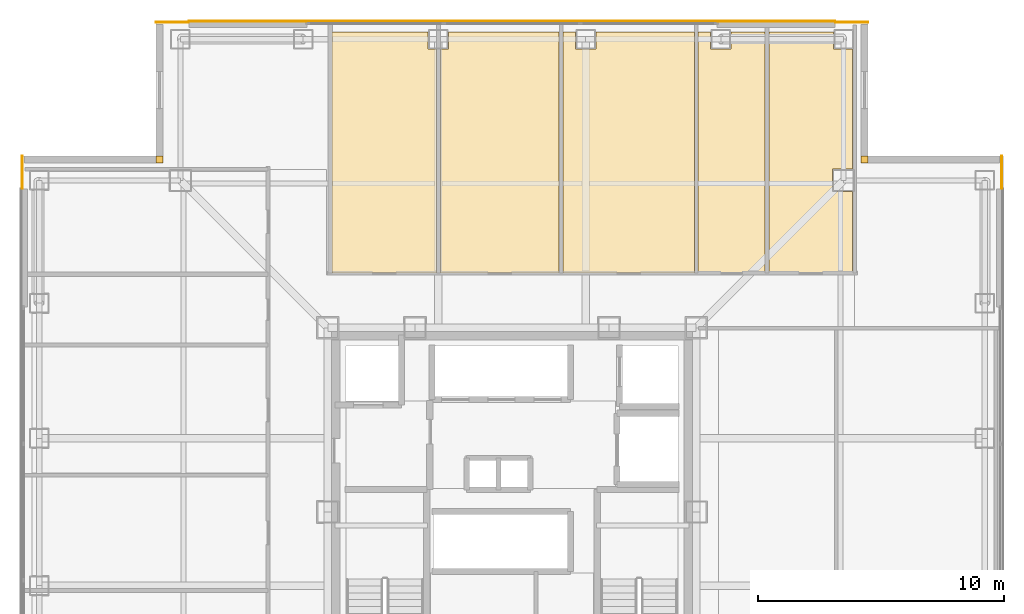
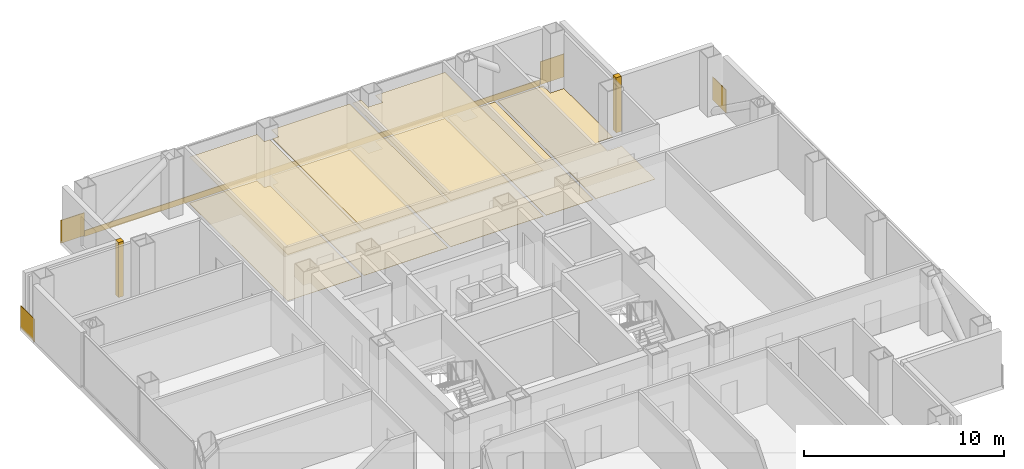
# One storey, part 17 of 17: 15 coverings.
"""IFC4 building model written with IfcOpenShell, lengths in metres."""

import ifcopenshell
import ifcopenshell.guid

model = None  # the IFC model being written
_history = None  # IfcOwnerHistory: only IFC2X3 demands one
_inside = {}  # id of a spatial element -> (the spatial element, [elements in it])
_under = {}  # id of a project, library or spatial element -> (it, [spatial elements below it])
_declared = {}  # id of a project -> (the project, [libraries it declares])
_typed = {}  # id of a type object -> (the type object, [elements of that type])
_made_of = {}  # id of a material, layer set ... -> (it, [elements and type objects made of it])


def new_model(schema):
    """Start an empty IFC model of exactly this schema.

    Asked for "IFC4X3", IfcOpenShell would pick the latest addendum, in which some entities
    have other attributes; the version numbers below select the first issue.
    IFC2X3 requires an IfcOwnerHistory on every rooted entity: one is made here for all.
    """
    global model, _history
    if schema == "IFC4X3":
        model = ifcopenshell.file(schema_version=(4, 3, 0, 0))
    else:
        model = ifcopenshell.file(schema=schema)
    _inside.clear()
    _under.clear()
    _declared.clear()
    _typed.clear()
    _made_of.clear()
    _history = None
    if model.schema == "IFC2X3":
        org = make("IfcOrganization", Name="unknown")
        user = make(
            "IfcPersonAndOrganization",
            ThePerson=make("IfcPerson", FamilyName="unknown"),
            TheOrganization=org,
        )
        app = make(
            "IfcApplication",
            ApplicationDeveloper=org,
            Version="unknown",
            ApplicationFullName="unknown",
            ApplicationIdentifier="unknown",
        )
        _history = make(
            "IfcOwnerHistory",
            OwningUser=user,
            OwningApplication=app,
            ChangeAction="ADDED",
            CreationDate=0,
        )
    return model


def make(cls, **values):
    """One entity of the class cls with the attributes given. An attribute that is None is left unset."""
    return model.create_entity(
        cls, **{name: value for name, value in values.items() if value is not None}
    )


def rooted(cls, **values):
    """An entity with a GlobalId (a new one), such as an element, a storey or a relation."""
    return make(cls, GlobalId=ifcopenshell.guid.new(), OwnerHistory=_history, **values)


def si_unit(unit_type, name, prefix=None):
    """IfcSIUnit, for example si_unit("LENGTHUNIT", "METRE", prefix="MILLI")."""
    return make("IfcSIUnit", UnitType=unit_type, Prefix=prefix, Name=name)


def assignment(units):
    """IfcUnitAssignment: the units of a project."""
    return None if units is None else make("IfcUnitAssignment", Units=units)


def point(xyz):
    """IfcCartesianPoint."""
    return None if xyz is None else make("IfcCartesianPoint", Coordinates=xyz)


def direction(xyz):
    """IfcDirection."""
    return None if xyz is None else make("IfcDirection", DirectionRatios=xyz)


def frame(location, z_axis=None, x_axis=None):
    """IfcAxis2Placement3D, a coordinate frame: its origin and axes. An axis left out is left unset."""
    return make(
        "IfcAxis2Placement3D",
        Location=point(location),
        Axis=direction(z_axis),
        RefDirection=direction(x_axis),
    )


def frame_2d(location, x_axis=None):
    """IfcAxis2Placement2D, a coordinate frame in the plane: its origin and x axis."""
    return make(
        "IfcAxis2Placement2D", Location=point(location), RefDirection=direction(x_axis)
    )


def origin():
    """The frame at (0, 0, 0) with its axes left unset."""
    return frame((0.0, 0.0, 0.0))


def place(relative_to, where):
    """IfcLocalPlacement: puts the frame where relative to a parent placement (None: the world)."""
    return make(
        "IfcLocalPlacement", PlacementRelTo=relative_to, RelativePlacement=where
    )


def context(
    kind, dimensions, precision=None, world=None, true_north=None, identifier=None
):
    """IfcGeometricRepresentationContext, for example the 3D "Model" context."""
    return make(
        "IfcGeometricRepresentationContext",
        ContextIdentifier=identifier,
        ContextType=kind,
        CoordinateSpaceDimension=dimensions,
        Precision=precision,
        WorldCoordinateSystem=world,
        TrueNorth=true_north,
    )


def subcontext(parent, identifier, kind, view, scale=None):
    """IfcGeometricRepresentationSubContext, for example "Body" below "Model"."""
    return make(
        "IfcGeometricRepresentationSubContext",
        ContextIdentifier=identifier,
        ContextType=kind,
        ParentContext=parent,
        TargetScale=scale,
        TargetView=view,
    )


def project(units=None, contexts=None):
    """IfcProject with its units and contexts."""
    return rooted(
        "IfcProject",
        Name="project",
        RepresentationContexts=contexts,
        UnitsInContext=assignment(units),
    )


def spatial(cls, under=None, at=None, **own):
    """A site, building, storey or space (cls), placed at a placement, below another one or the project."""
    s = rooted(cls, ObjectPlacement=at, **own)
    if under is not None:
        _under.setdefault(under.id(), (under, []))[1].append(s)
    return s


def polyline(points):
    """IfcPolyline through the points."""
    return make("IfcPolyline", Points=[point(p) for p in points])


def profile(cls, at=None, kind="AREA", **sizes):
    """A parametric profile (cls). Its sizes go by their IFC names, for example OverallWidth=200.0."""
    return make(cls, ProfileType=kind, Position=at, **sizes)


def rectangle(**sizes):
    """IfcRectangleProfileDef."""
    return profile("IfcRectangleProfileDef", **sizes)


def outline(outer, holes=None, kind="AREA"):
    """IfcArbitraryClosedProfileDef: a profile drawn as a closed curve; with holes, ...WithVoids."""
    if holes is None:
        return make("IfcArbitraryClosedProfileDef", ProfileType=kind, OuterCurve=outer)
    return make(
        "IfcArbitraryProfileDefWithVoids",
        ProfileType=kind,
        OuterCurve=outer,
        InnerCurves=holes,
    )


def extrude(swept, where, along, depth):
    """IfcExtrudedAreaSolid: the profile swept, set in the frame where, extruded along a direction by depth."""
    return make(
        "IfcExtrudedAreaSolid",
        SweptArea=swept,
        Position=where,
        ExtrudedDirection=direction(along),
        Depth=depth,
    )


def shape(context_of_items, identifier, shape_type, items):
    """IfcShapeRepresentation: the items that make up one representation, for example the "Body"."""
    return make(
        "IfcShapeRepresentation",
        ContextOfItems=context_of_items,
        RepresentationIdentifier=identifier,
        RepresentationType=shape_type,
        Items=items,
    )


def material(Name=None, Category=None):
    """IfcMaterial."""
    return make("IfcMaterial", Name=Name, Category=Category)


def layer(
    of_material, thickness, ventilated=None, Name=None, Category=None, Priority=None
):
    """IfcMaterialLayer: one layer of a wall or slab, of a material (None: an air gap)."""
    return make(
        "IfcMaterialLayer",
        Material=of_material,
        LayerThickness=thickness,
        IsVentilated=ventilated,
        Name=Name,
        Category=Category,
        Priority=Priority,
    )


def layer_set(layers, Name=None):
    """IfcMaterialLayerSet."""
    return make("IfcMaterialLayerSet", MaterialLayers=layers, LayerSetName=Name)


def made_of(thing, what):
    """Note that an element or type object is made of a material, layer set ...; save() writes the relation."""
    if what is not None:
        _made_of.setdefault(what.id(), (what, []))[1].append(thing)
    return thing


def type_object(cls, material=None, **own):
    """A type object (cls), such as IfcWallType, which elements share."""
    return made_of(rooted(cls, **own), material)


def element(
    cls,
    number,
    at=None,
    inside=None,
    cuts=None,
    type_object=None,
    material=None,
    context=None,
    identifier="Body",
    shape_type=None,
    held_by="IfcProductDefinitionShape",
    body=None,
    shapes=None,
    **own,
):
    """One element of the class cls, such as IfcWall. Its Tag is "e" and its number.

    at: its placement. inside: the storey or other place that contains it. cuts: it is an
    opening in that element (IfcRelVoidsElement). A single representation is given by context,
    identifier, shape_type and body (its items); several are given by shapes. held_by: the class
    of the entity that holds the representations. save() writes the other relations.
    """
    e = rooted(cls, Tag="e%d" % number, ObjectPlacement=at, **own)
    if body is not None:
        shapes = [shape(context, identifier, shape_type, body)]
    if shapes is not None:
        e.Representation = make(held_by, Representations=shapes)
    if inside is not None:
        _inside.setdefault(inside.id(), (inside, []))[1].append(e)
    if cuts is not None:
        rooted(
            "IfcRelVoidsElement", RelatingBuildingElement=cuts, RelatedOpeningElement=e
        )
    if type_object is not None:
        _typed.setdefault(type_object.id(), (type_object, []))[1].append(e)
    return made_of(e, material)


def aggregate(whole, parts):
    """IfcRelAggregates: a whole, such as a stair, and the parts it consists of."""
    return rooted("IfcRelAggregates", RelatingObject=whole, RelatedObjects=parts)


def save(model, path):
    """Write the relations noted so far, then the file.

    IfcRelAggregates (storeys below a building ...), IfcRelContainedInSpatialStructure (elements
    in a storey), IfcRelDefinesByType, IfcRelAssociatesMaterial and IfcRelDeclares: one each for
    every whole, place, type object, material and project.
    """
    for whole, parts in _under.values():
        aggregate(whole, parts)
    for where, things in _inside.values():
        rooted(
            "IfcRelContainedInSpatialStructure",
            RelatedElements=things,
            RelatingStructure=where,
        )
    for kind, things in _typed.values():
        rooted("IfcRelDefinesByType", RelatedObjects=things, RelatingType=kind)
    for what, things in _made_of.values():
        rooted("IfcRelAssociatesMaterial", RelatedObjects=things, RelatingMaterial=what)
    for by, libraries in _declared.values():
        rooted("IfcRelDeclares", RelatingContext=by, RelatedDefinitions=libraries)
    model.write(path)


model = new_model("IFC4")

# Units and contexts
model_context = context("Model", 3, precision=1e-05, world=origin(), true_north=direction((0.0, 1.0)))
body_context = subcontext(model_context, "Body", "Model", "MODEL_VIEW")
ifc_project = project(units=[si_unit("LENGTHUNIT", "METRE"), si_unit("AREAUNIT", "SQUARE_METRE"), si_unit("VOLUMEUNIT", "CUBIC_METRE"), si_unit("PLANEANGLEUNIT", "RADIAN"), si_unit("MASSUNIT", "GRAM", prefix="KILO")], contexts=[model_context])

# Site, building, storey
site_placement = place(None, origin())
site = spatial("IfcSite", under=ifc_project, at=site_placement, CompositionType="ELEMENT")
building_placement = place(site_placement, origin())
building = spatial("IfcBuilding", under=site, at=building_placement, Name="Trevonay Congress Spire", CompositionType="ELEMENT")
storey_placement = place(building_placement, frame((0.0, 0.0, 169.800048828125)))
storey = spatial("IfcBuildingStorey", under=building, at=storey_placement, Name="L43", CompositionType="ELEMENT", Elevation=169.800048828125)

# Coverings
ifc_material_1 = material(Name="Acoustic Mineral Fibre Board", Category="gypsum")
ifc_layer_1 = layer(ifc_material_1, 0.02490234375, Name="Acoustic Mineral Fibre Board")
ifc_layer_set_1 = layer_set([ifc_layer_1], Name="Acoustic Mineral Fibre Board")
covering_type_1 = type_object("IfcCoveringType", Name="COV-CEIL-ACOUSTIC", PredefinedType="CEILING", material=ifc_layer_set_1)
covering_1_placement = place(storey_placement, frame((0.0, 0.0, 2.81005859375)))
element("IfcCovering", 1, at=covering_1_placement, inside=storey, type_object=covering_type_1, Name="L43 Tax Counsel Office 8 acoustic suspended ceiling", PredefinedType="CEILING", context=body_context, shape_type="SweptSolid", body=[
    extrude(outline(polyline([(-3.080078125, 9.72998046875), (-7.320068359375, 9.72998046875), (-7.320068359375, 19.550048828125), (-3.409912109375, 19.550048828125), (-3.409912109375, 18.840087890625), (-3.080078125, 18.840087890625), (-3.080078125, 9.72998046875)])), origin(), (0.0, 0.0, 1.0), 0.02490234375),
])
covering_2_placement = place(storey_placement, frame((0.0, 0.0, 2.81005859375)))
element("IfcCovering", 2, at=covering_2_placement, inside=storey, type_object=covering_type_1, Name="L43 Compliance Office 9 acoustic suspended ceiling", PredefinedType="CEILING", context=body_context, shape_type="SweptSolid", body=[
    extrude(outline(polyline([(1.919921875, 19.550048828125), (1.919921875, 9.72998046875), (-2.919921875, 9.72998046875), (-2.919921875, 18.840087890625), (-2.590087890625, 18.840087890625), (-2.590087890625, 19.550048828125), (1.919921875, 19.550048828125)])), origin(), (0.0, 0.0, 1.0), 0.02490234375),
])
covering_3_placement = place(storey_placement, frame((0.0, 0.0, 2.81005859375)))
element("IfcCovering", 3, at=covering_3_placement, inside=storey, type_object=covering_type_1, Name="L43 Billing Office 10 acoustic suspended ceiling", PredefinedType="CEILING", context=body_context, shape_type="SweptSolid", body=[
    extrude(outline(polyline([(7.419921875, 19.550048828125), (7.419921875, 9.72998046875), (2.080078125, 9.72998046875), (2.080078125, 19.550048828125), (2.590087890625, 19.550048828125), (2.590087890625, 18.840087890625), (3.409912109375, 18.840087890625), (3.409912109375, 19.550048828125), (7.419921875, 19.550048828125)])), origin(), (0.0, 0.0, 1.0), 0.02490234375),
])
ifc_material_2 = material(Name="Polished Granite Floor Tile", Category="masonry")
ifc_layer_2 = layer(ifc_material_2, 0.02001953125, Name="Polished Granite Floor Tile")
ifc_layer_set_2 = layer_set([ifc_layer_2], Name="Polished Granite Floor Tile")
covering_type_2 = type_object("IfcCoveringType", Name="COV-FLOOR-STONE", PredefinedType="FLOORING", material=ifc_layer_set_2)
covering_4_placement = place(storey_placement, origin())
element("IfcCovering", 4, at=covering_4_placement, inside=storey, type_object=covering_type_2, Name="L43 Female Restroom WC floor finish", PredefinedType="FLOORING", context=body_context, shape_type="SweptSolid", body=[
    extrude(outline(polyline([(10.300048828125, 19.550048828125), (10.300048828125, 9.72998046875), (7.580078125, 9.72998046875), (7.580078125, 19.550048828125), (8.090087890625, 19.550048828125), (8.090087890625, 18.840087890625), (8.909912109375, 18.840087890625), (8.909912109375, 19.550048828125), (10.300048828125, 19.550048828125)])), origin(), (0.0, 0.0, 1.0), 0.02001953125),
])
covering_5_placement = place(storey_placement, origin())
element("IfcCovering", 5, at=covering_5_placement, inside=storey, type_object=covering_type_2, Name="L43 Floor Supplies and Copy Room floor finish", PredefinedType="FLOORING", context=body_context, shape_type="SweptSolid", body=[
    extrude(outline(polyline([(13.8701171875, 9.72998046875), (10.4599609375, 9.72998046875), (10.4599609375, 19.550048828125), (13.090087890625, 19.550048828125), (13.090087890625, 18.840087890625), (13.8701171875, 18.840087890625), (13.8701171875, 13.9599609375), (13.0400390625, 13.9599609375), (13.0400390625, 13.0400390625), (13.8701171875, 13.0400390625), (13.8701171875, 9.72998046875)])), origin(), (0.0, 0.0, 1.0), 0.02001953125),
])
ifc_material_3 = material(Name="Engineered Oak Flooring", Category="wood")
ifc_layer_3 = layer(ifc_material_3, 0.01806640625, Name="Engineered Oak Flooring")
ifc_layer_set_3 = layer_set([ifc_layer_3], Name="Engineered Oak Flooring")
covering_type_3 = type_object("IfcCoveringType", Name="COV-FLOOR-TIMBER", PredefinedType="FLOORING", material=ifc_layer_set_3)
covering_6_placement = place(storey_placement, origin())
element("IfcCovering", 6, at=covering_6_placement, inside=storey, type_object=covering_type_3, Name="L43 Tax Counsel Office 8 floor finish", PredefinedType="FLOORING", context=body_context, shape_type="SweptSolid", body=[
    extrude(outline(polyline([(-3.080078125, 9.72998046875), (-7.320068359375, 9.72998046875), (-7.320068359375, 19.550048828125), (-3.409912109375, 19.550048828125), (-3.409912109375, 18.840087890625), (-3.080078125, 18.840087890625), (-3.080078125, 9.72998046875)])), origin(), (0.0, 0.0, 1.0), 0.01806640625),
])
covering_7_placement = place(storey_placement, origin())
element("IfcCovering", 7, at=covering_7_placement, inside=storey, type_object=covering_type_3, Name="L43 Compliance Office 9 floor finish", PredefinedType="FLOORING", context=body_context, shape_type="SweptSolid", body=[
    extrude(outline(polyline([(1.919921875, 19.550048828125), (1.919921875, 9.72998046875), (-2.919921875, 9.72998046875), (-2.919921875, 18.840087890625), (-2.590087890625, 18.840087890625), (-2.590087890625, 19.550048828125), (1.919921875, 19.550048828125)])), origin(), (0.0, 0.0, 1.0), 0.01806640625),
])
covering_8_placement = place(storey_placement, origin())
element("IfcCovering", 8, at=covering_8_placement, inside=storey, type_object=covering_type_3, Name="L43 Billing Office 10 floor finish", PredefinedType="FLOORING", context=body_context, shape_type="SweptSolid", body=[
    extrude(outline(polyline([(7.419921875, 19.550048828125), (7.419921875, 9.72998046875), (2.080078125, 9.72998046875), (2.080078125, 19.550048828125), (2.590087890625, 19.550048828125), (2.590087890625, 18.840087890625), (3.409912109375, 18.840087890625), (3.409912109375, 19.550048828125), (7.419921875, 19.550048828125)])), origin(), (0.0, 0.0, 1.0), 0.01806640625),
])
ifc_material_4 = material(Name="Pale Anodised Aluminium EN AW-6063-T6", Category="aluminium")
ifc_layer_4 = layer(ifc_material_4, 0.0400390625, Name="Pale Anodised Aluminium EN AW-6063-T6")
ifc_layer_set_4 = layer_set([ifc_layer_4], Name="Pale Anodised Aluminium EN AW-6063-T6")
covering_type_4 = type_object("IfcCoveringType", Name="COV-SPANDREL-PALE-METAL", PredefinedType="CLADDING", material=ifc_layer_set_4)
covering_9_placement = place(storey_placement, frame((-13.14990234375, 19.97998046875, -0.239990234375), z_axis=(0.0, 0.0, 1.0), x_axis=(1.0, 0.0, 0.0)))
element("IfcCovering", 9, at=covering_9_placement, inside=storey, type_object=covering_type_4, Name="L43 N pale-metal slab-edge spandrel cladding", PredefinedType="CLADDING", context=body_context, shape_type="SweptSolid", body=[
    extrude(rectangle(XDim=26.2998046875, YDim=0.0400390625, at=frame_2d((13.14990234375, 0.0))), origin(), (0.0, 0.0, 1.0), 0.35986328125),
])
covering_10_placement = place(storey_placement, origin())
element("IfcCovering", 10, at=covering_10_placement, inside=storey, type_object=covering_type_4, Name="L43 NE re-entrant notch corner closure trim", PredefinedType="CLADDING", context=body_context, shape_type="SweptSolid", body=[
    extrude(outline(polyline([(14.199951171875, 14.199951171875), (14.5, 14.199951171875), (14.5, 14.5), (14.199951171875, 14.5), (14.199951171875, 14.199951171875)])), origin(), (0.0, 0.0, 1.0), 3.35986328125),
])
for number, where, z_axis, x_axis, name in (
    (11, (19.93994140625, 13.14990234375, -0.150146484375), (0.0, 0.0, 1.0), (0.0, 1.0, 0.0), "L43 NE corner pier spandrel cladding 1"),
    (12, (13.14990234375, 19.93994140625, -0.150146484375), (0.0, 0.0, 1.0), (1.0, 0.0, 0.0), "L43 NE corner pier spandrel cladding 2"),
):
    element("IfcCovering", number, at=place(storey_placement, frame(where, z_axis=z_axis, x_axis=x_axis)), inside=storey, type_object=covering_type_4, Name=name, PredefinedType="CLADDING", context=body_context, shape_type="SweptSolid", body=[
        extrude(rectangle(XDim=1.35009765625, YDim=0.0400390625, at=frame_2d((0.675048828125, 0.0))), origin(), (0.0, 0.0, 1.0), 1.400146484375),
    ])
covering_11_placement = place(storey_placement, origin())
element("IfcCovering", 13, at=covering_11_placement, inside=storey, type_object=covering_type_4, Name="L43 NW re-entrant notch corner closure trim", PredefinedType="CLADDING", context=body_context, shape_type="SweptSolid", body=[
    extrude(outline(polyline([(-14.5, 14.199951171875), (-14.199951171875, 14.199951171875), (-14.199951171875, 14.5), (-14.5, 14.5), (-14.5, 14.199951171875)])), origin(), (0.0, 0.0, 1.0), 3.35986328125),
])
for number, where, z_axis, x_axis, name in (
    (14, (-19.93994140625, 13.14990234375, -0.150146484375), (0.0, 0.0, 1.0), (0.0, 1.0, 0.0), "L43 NW corner pier spandrel cladding 1"),
    (15, (-13.14990234375, 19.93994140625, -0.150146484375), (0.0, 0.0, 1.0), (-1.0, 0.0, 0.0), "L43 NW corner pier spandrel cladding 2"),
):
    element("IfcCovering", number, at=place(storey_placement, frame(where, z_axis=z_axis, x_axis=x_axis)), inside=storey, type_object=covering_type_4, Name=name, PredefinedType="CLADDING", context=body_context, shape_type="SweptSolid", body=[
        extrude(rectangle(XDim=1.35009765625, YDim=0.0400390625, at=frame_2d((0.675048828125, 0.0))), origin(), (0.0, 0.0, 1.0), 1.400146484375),
    ])

save(model, "model.ifc")
